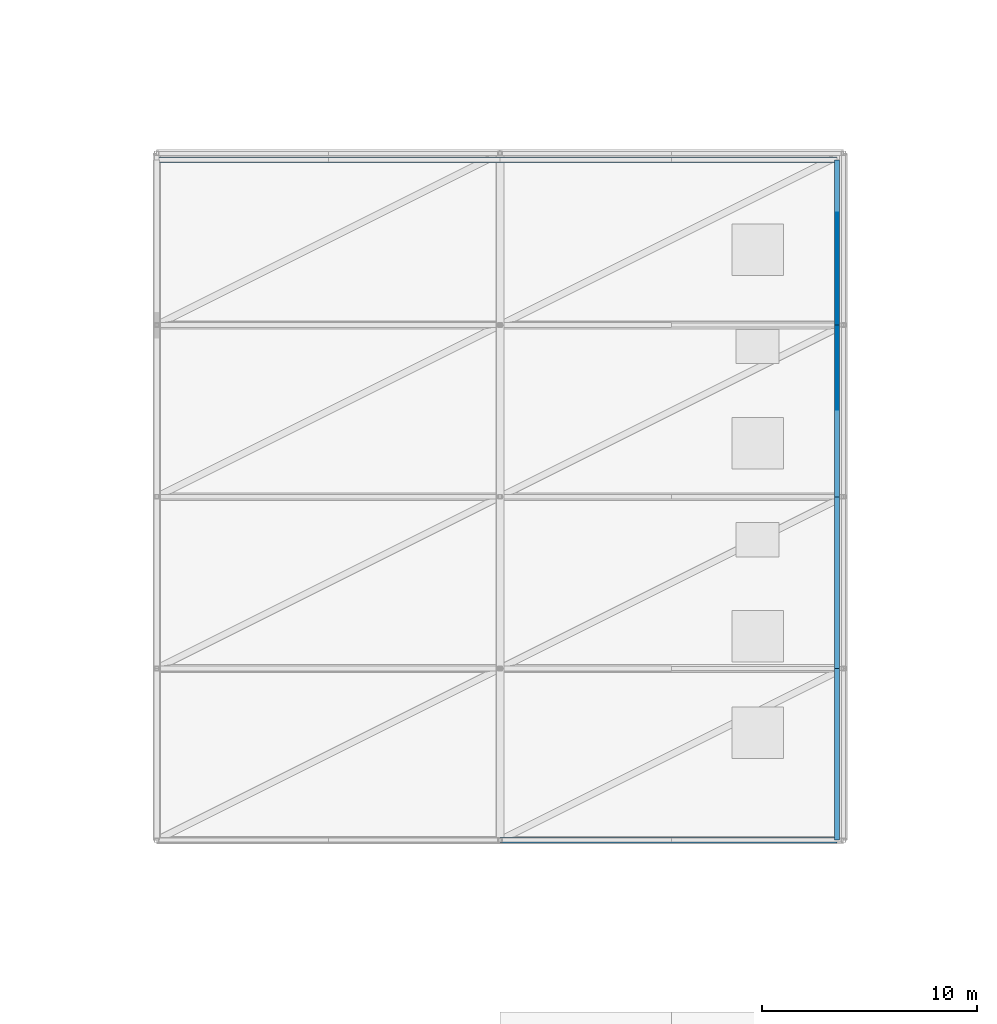
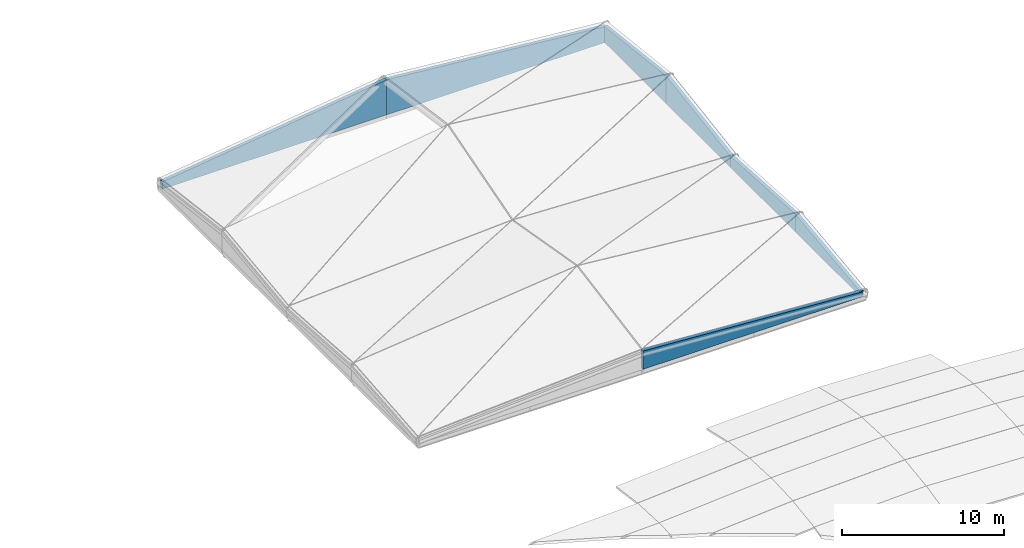
# One storey, part 41 of 44: 7 walls.
"""IFC4 building model written with IfcOpenShell, lengths in metres."""

from ifc_helpers import new_model, si_unit, direction, frame, origin, place, context, subcontext, project, spatial, polyline, outline, extrude, material, layer, layer_set, type_object, element, save


model = new_model("IFC4")

# Units and contexts
model_context = context("Model", 3, precision=1e-05, world=origin(), true_north=direction((0.0, 1.0)))
body_context = subcontext(model_context, "Body", "Model", "MODEL_VIEW")
ifc_project = project(units=[si_unit("LENGTHUNIT", "METRE"), si_unit("AREAUNIT", "SQUARE_METRE"), si_unit("VOLUMEUNIT", "CUBIC_METRE"), si_unit("PLANEANGLEUNIT", "RADIAN"), si_unit("MASSUNIT", "GRAM", prefix="KILO")], contexts=[model_context])

# Site, building, storey
site_placement = place(None, origin())
site = spatial("IfcSite", under=ifc_project, at=site_placement, CompositionType="ELEMENT")
building_placement = place(site_placement, origin())
building = spatial("IfcBuilding", under=site, at=building_placement, Name="Tenunan Teduh Sports Hall", CompositionType="ELEMENT")
storey_placement = place(building_placement, frame((0.0, 0.0, 19.199951171875)))
storey = spatial("IfcBuildingStorey", under=building, at=storey_placement, Name="L04", CompositionType="ELEMENT", Elevation=19.199951171875)

# Walls
ifc_material = material(Name="Precast concrete C40/50", Category="concrete")
ifc_layer = layer(ifc_material, 0.25)
ifc_layer_set = layer_set([ifc_layer], Name="Precast concrete C40/50")
wall_type = type_object("IfcWallType", Name="WL-EXT-250", PredefinedType="SOLIDWALL", material=ifc_layer_set)
wall_1_placement = place(storey_placement, frame((153.697265625, 46.0, -0.27001953125), z_axis=(0.0, 0.0, 1.0), x_axis=(0.0, 1.0, 0.0)))
element("IfcWall", 1, at=wall_1_placement, inside=storey, type_object=wall_type, Name="WL-EXT-L04-131", PredefinedType="SOLIDWALL", context=body_context, shape_type="SweptSolid", body=[
    extrude(outline(polyline([(0.0, 0.0), (8.0, 0.0), (8.0, 1.35009765625), (0.0, 0.3701171875), (0.0, 0.0)])), frame((0.0, 0.125, 0.0), z_axis=(0.0, -1.0, 0.0), x_axis=(1.0, 0.0, 0.0)), (0.0, 0.0, 1.0), 0.25),
])
wall_2_placement = place(storey_placement, frame((153.697265625, 54.0, -0.27001953125), z_axis=(0.0, 0.0, 1.0), x_axis=(0.0, 1.0, 0.0)))
element("IfcWall", 2, at=wall_2_placement, inside=storey, type_object=wall_type, Name="WL-EXT-L04-132", PredefinedType="SOLIDWALL", context=body_context, shape_type="SweptSolid", body=[
    extrude(outline(polyline([(0.0, 0.0), (8.0, 0.0), (8.0, 0.85009765625), (0.0, 1.35009765625), (0.0, 0.0)])), frame((0.0, 0.125, 0.0), z_axis=(0.0, -1.0, 0.0), x_axis=(1.0, 0.0, 0.0)), (0.0, 0.0, 1.0), 0.25),
])
wall_3_placement = place(storey_placement, frame((153.697265625, 62.0, -0.27001953125), z_axis=(0.0, 0.0, 1.0), x_axis=(0.0, 1.0, 0.0)))
element("IfcWall", 3, at=wall_3_placement, inside=storey, type_object=wall_type, Name="WL-EXT-L04-133", PredefinedType="SOLIDWALL", context=body_context, shape_type="SweptSolid", body=[
    extrude(outline(polyline([(0.0, 0.0), (8.0, 0.0), (8.0, 2.090087890625), (0.0, 0.85009765625), (0.0, 0.0)])), frame((0.0, 0.125, 0.0), z_axis=(0.0, -1.0, 0.0), x_axis=(1.0, 0.0, 0.0)), (0.0, 0.0, 1.0), 0.25),
])
wall_4_placement = place(storey_placement, frame((153.697265625, 70.0, -0.27001953125), z_axis=(0.0, 0.0, 1.0), x_axis=(0.0, 1.0, 0.0)))
element("IfcWall", 4, at=wall_4_placement, inside=storey, type_object=wall_type, Name="WL-EXT-L04-134", PredefinedType="SOLIDWALL", context=body_context, shape_type="SweptSolid", body=[
    extrude(outline(polyline([(0.0, 0.0), (7.697265625, 0.0), (7.697265625, 1.190185546875), (0.0, 2.090087890625), (0.0, 0.0)])), frame((0.0, 0.125, 0.0), z_axis=(0.0, -1.0, 0.0), x_axis=(1.0, 0.0, 0.0)), (0.0, 0.0, 1.0), 0.25),
])
wall_5_placement = place(storey_placement, frame((138.0, 46.0, -0.27001953125), z_axis=(0.0, 0.0, 1.0), x_axis=(1.0, 0.0, 0.0)))
element("IfcWall", 5, at=wall_5_placement, inside=storey, type_object=wall_type, Name="WL-EXT-L04-136", PredefinedType="SOLIDWALL", context=body_context, shape_type="SweptSolid", body=[
    extrude(outline(polyline([(0.0, 0.0), (15.697265625, 0.0), (15.697265625, 0.3701171875), (0.0, 1.39013671875), (0.0, 0.0)])), frame((0.0, 0.125, 0.0), z_axis=(0.0, -1.0, 0.0), x_axis=(1.0, 0.0, 0.0)), (0.0, 0.0, 1.0), 0.25),
])
wall_6_placement = place(storey_placement, frame((122.0, 77.697265625, -0.27001953125), z_axis=(0.0, 0.0, 1.0), x_axis=(1.0, 0.0, 0.0)))
element("IfcWall", 6, at=wall_6_placement, inside=storey, type_object=wall_type, Name="WL-EXT-L04-137", PredefinedType="SOLIDWALL", context=body_context, shape_type="SweptSolid", body=[
    extrude(outline(polyline([(0.0, 0.0), (16.0, 0.0), (16.0, 2.650146484375), (0.0, 0.550048828125), (0.0, 0.0)])), frame((0.0, 0.125, 0.0), z_axis=(0.0, -1.0, 0.0), x_axis=(1.0, 0.0, 0.0)), (0.0, 0.0, 1.0), 0.25),
])
wall_7_placement = place(storey_placement, frame((138.0, 77.697265625, -0.27001953125), z_axis=(0.0, 0.0, 1.0), x_axis=(1.0, 0.0, 0.0)))
element("IfcWall", 7, at=wall_7_placement, inside=storey, type_object=wall_type, Name="WL-EXT-L04-138", PredefinedType="SOLIDWALL", context=body_context, shape_type="SweptSolid", body=[
    extrude(outline(polyline([(0.0, 0.0), (15.697265625, 0.0), (15.697265625, 1.190185546875), (0.0, 2.650146484375), (0.0, 0.0)])), frame((0.0, 0.125, 0.0), z_axis=(0.0, -1.0, 0.0), x_axis=(1.0, 0.0, 0.0)), (0.0, 0.0, 1.0), 0.25),
])

save(model, "model.ifc")
